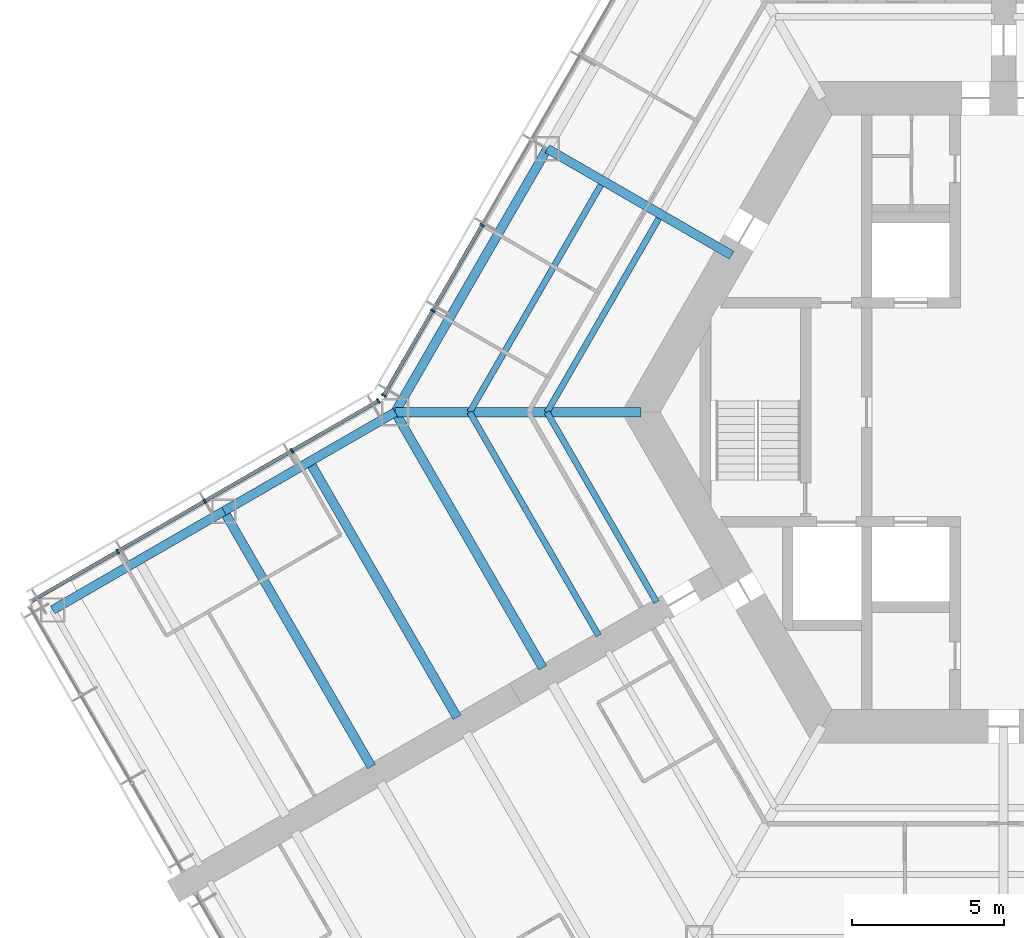
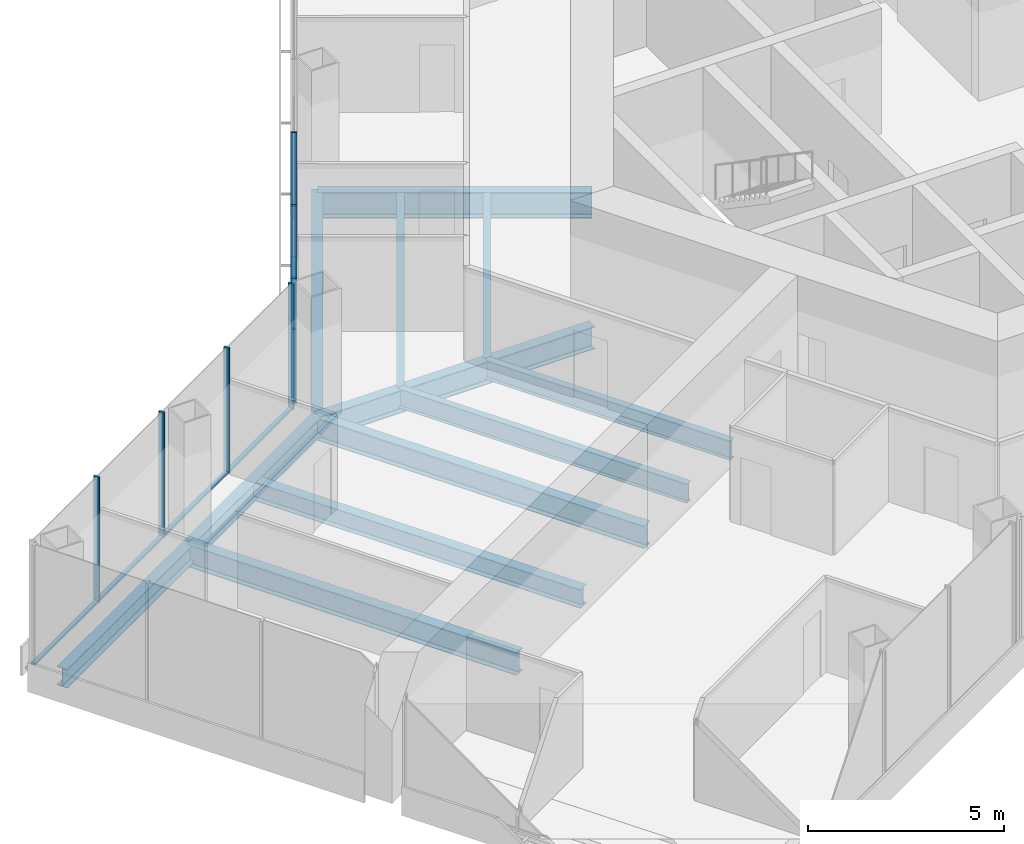
# One storey, part 4 of 18: 13 members, 12 beams, 2 elements without a shape of their own.
"""IFC4 building model written with IfcOpenShell, lengths in metres."""

import ifcopenshell
import ifcopenshell.guid

model = None  # the IFC model being written
_history = None  # IfcOwnerHistory: only IFC2X3 demands one
_inside = {}  # id of a spatial element -> (the spatial element, [elements in it])
_under = {}  # id of a project, library or spatial element -> (it, [spatial elements below it])
_declared = {}  # id of a project -> (the project, [libraries it declares])
_typed = {}  # id of a type object -> (the type object, [elements of that type])
_made_of = {}  # id of a material, layer set ... -> (it, [elements and type objects made of it])


def new_model(schema):
    """Start an empty IFC model of exactly this schema.

    Asked for "IFC4X3", IfcOpenShell would pick the latest addendum, in which some entities
    have other attributes; the version numbers below select the first issue.
    IFC2X3 requires an IfcOwnerHistory on every rooted entity: one is made here for all.
    """
    global model, _history
    if schema == "IFC4X3":
        model = ifcopenshell.file(schema_version=(4, 3, 0, 0))
    else:
        model = ifcopenshell.file(schema=schema)
    _inside.clear()
    _under.clear()
    _declared.clear()
    _typed.clear()
    _made_of.clear()
    _history = None
    if model.schema == "IFC2X3":
        org = make("IfcOrganization", Name="unknown")
        user = make(
            "IfcPersonAndOrganization",
            ThePerson=make("IfcPerson", FamilyName="unknown"),
            TheOrganization=org,
        )
        app = make(
            "IfcApplication",
            ApplicationDeveloper=org,
            Version="unknown",
            ApplicationFullName="unknown",
            ApplicationIdentifier="unknown",
        )
        _history = make(
            "IfcOwnerHistory",
            OwningUser=user,
            OwningApplication=app,
            ChangeAction="ADDED",
            CreationDate=0,
        )
    return model


def make(cls, **values):
    """One entity of the class cls with the attributes given. An attribute that is None is left unset."""
    return model.create_entity(
        cls, **{name: value for name, value in values.items() if value is not None}
    )


def rooted(cls, **values):
    """An entity with a GlobalId (a new one), such as an element, a storey or a relation."""
    return make(cls, GlobalId=ifcopenshell.guid.new(), OwnerHistory=_history, **values)


def si_unit(unit_type, name, prefix=None):
    """IfcSIUnit, for example si_unit("LENGTHUNIT", "METRE", prefix="MILLI")."""
    return make("IfcSIUnit", UnitType=unit_type, Prefix=prefix, Name=name)


def assignment(units):
    """IfcUnitAssignment: the units of a project."""
    return None if units is None else make("IfcUnitAssignment", Units=units)


def point(xyz):
    """IfcCartesianPoint."""
    return None if xyz is None else make("IfcCartesianPoint", Coordinates=xyz)


def direction(xyz):
    """IfcDirection."""
    return None if xyz is None else make("IfcDirection", DirectionRatios=xyz)


def frame(location, z_axis=None, x_axis=None):
    """IfcAxis2Placement3D, a coordinate frame: its origin and axes. An axis left out is left unset."""
    return make(
        "IfcAxis2Placement3D",
        Location=point(location),
        Axis=direction(z_axis),
        RefDirection=direction(x_axis),
    )


def frame_2d(location, x_axis=None):
    """IfcAxis2Placement2D, a coordinate frame in the plane: its origin and x axis."""
    return make(
        "IfcAxis2Placement2D", Location=point(location), RefDirection=direction(x_axis)
    )


def origin():
    """The frame at (0, 0, 0) with its axes left unset."""
    return frame((0.0, 0.0, 0.0))


def origin_2d():
    """The frame at (0, 0) in the plane with its x axis left unset."""
    return frame_2d((0.0, 0.0))


def place(relative_to, where):
    """IfcLocalPlacement: puts the frame where relative to a parent placement (None: the world)."""
    return make(
        "IfcLocalPlacement", PlacementRelTo=relative_to, RelativePlacement=where
    )


def context(
    kind, dimensions, precision=None, world=None, true_north=None, identifier=None
):
    """IfcGeometricRepresentationContext, for example the 3D "Model" context."""
    return make(
        "IfcGeometricRepresentationContext",
        ContextIdentifier=identifier,
        ContextType=kind,
        CoordinateSpaceDimension=dimensions,
        Precision=precision,
        WorldCoordinateSystem=world,
        TrueNorth=true_north,
    )


def subcontext(parent, identifier, kind, view, scale=None):
    """IfcGeometricRepresentationSubContext, for example "Body" below "Model"."""
    return make(
        "IfcGeometricRepresentationSubContext",
        ContextIdentifier=identifier,
        ContextType=kind,
        ParentContext=parent,
        TargetScale=scale,
        TargetView=view,
    )


def project(units=None, contexts=None):
    """IfcProject with its units and contexts."""
    return rooted(
        "IfcProject",
        Name="project",
        RepresentationContexts=contexts,
        UnitsInContext=assignment(units),
    )


def spatial(cls, under=None, at=None, **own):
    """A site, building, storey or space (cls), placed at a placement, below another one or the project."""
    s = rooted(cls, ObjectPlacement=at, **own)
    if under is not None:
        _under.setdefault(under.id(), (under, []))[1].append(s)
    return s


def profile(cls, at=None, kind="AREA", **sizes):
    """A parametric profile (cls). Its sizes go by their IFC names, for example OverallWidth=200.0."""
    return make(cls, ProfileType=kind, Position=at, **sizes)


def rectangle(**sizes):
    """IfcRectangleProfileDef."""
    return profile("IfcRectangleProfileDef", **sizes)


def i_section(**sizes):
    """IfcIShapeProfileDef."""
    return profile("IfcIShapeProfileDef", **sizes)


def extrude(swept, where, along, depth):
    """IfcExtrudedAreaSolid: the profile swept, set in the frame where, extruded along a direction by depth."""
    return make(
        "IfcExtrudedAreaSolid",
        SweptArea=swept,
        Position=where,
        ExtrudedDirection=direction(along),
        Depth=depth,
    )


def shape(context_of_items, identifier, shape_type, items):
    """IfcShapeRepresentation: the items that make up one representation, for example the "Body"."""
    return make(
        "IfcShapeRepresentation",
        ContextOfItems=context_of_items,
        RepresentationIdentifier=identifier,
        RepresentationType=shape_type,
        Items=items,
    )


def material(Name=None, Category=None):
    """IfcMaterial."""
    return make("IfcMaterial", Name=Name, Category=Category)


def material_profile(
    of_material, cross_section, Name=None, Category=None, Priority=None
):
    """IfcMaterialProfile: a cross section and its material."""
    return make(
        "IfcMaterialProfile",
        Name=Name,
        Material=of_material,
        Profile=cross_section,
        Priority=Priority,
        Category=Category,
    )


def profile_set(profiles, Name=None, composite=None):
    """IfcMaterialProfileSet."""
    return make(
        "IfcMaterialProfileSet",
        Name=Name,
        MaterialProfiles=profiles,
        CompositeProfile=composite,
    )


def made_of(thing, what):
    """Note that an element or type object is made of a material, layer set ...; save() writes the relation."""
    if what is not None:
        _made_of.setdefault(what.id(), (what, []))[1].append(thing)
    return thing


def type_object(cls, material=None, **own):
    """A type object (cls), such as IfcWallType, which elements share."""
    return made_of(rooted(cls, **own), material)


def element(
    cls,
    number,
    at=None,
    inside=None,
    cuts=None,
    type_object=None,
    material=None,
    context=None,
    identifier="Body",
    shape_type=None,
    held_by="IfcProductDefinitionShape",
    body=None,
    shapes=None,
    **own,
):
    """One element of the class cls, such as IfcWall. Its Tag is "e" and its number.

    at: its placement. inside: the storey or other place that contains it. cuts: it is an
    opening in that element (IfcRelVoidsElement). A single representation is given by context,
    identifier, shape_type and body (its items); several are given by shapes. held_by: the class
    of the entity that holds the representations. save() writes the other relations.
    """
    e = rooted(cls, Tag="e%d" % number, ObjectPlacement=at, **own)
    if body is not None:
        shapes = [shape(context, identifier, shape_type, body)]
    if shapes is not None:
        e.Representation = make(held_by, Representations=shapes)
    if inside is not None:
        _inside.setdefault(inside.id(), (inside, []))[1].append(e)
    if cuts is not None:
        rooted(
            "IfcRelVoidsElement", RelatingBuildingElement=cuts, RelatedOpeningElement=e
        )
    if type_object is not None:
        _typed.setdefault(type_object.id(), (type_object, []))[1].append(e)
    return made_of(e, material)


def aggregate(whole, parts):
    """IfcRelAggregates: a whole, such as a stair, and the parts it consists of."""
    return rooted("IfcRelAggregates", RelatingObject=whole, RelatedObjects=parts)


def save(model, path):
    """Write the relations noted so far, then the file.

    IfcRelAggregates (storeys below a building ...), IfcRelContainedInSpatialStructure (elements
    in a storey), IfcRelDefinesByType, IfcRelAssociatesMaterial and IfcRelDeclares: one each for
    every whole, place, type object, material and project.
    """
    for whole, parts in _under.values():
        aggregate(whole, parts)
    for where, things in _inside.values():
        rooted(
            "IfcRelContainedInSpatialStructure",
            RelatedElements=things,
            RelatingStructure=where,
        )
    for kind, things in _typed.values():
        rooted("IfcRelDefinesByType", RelatedObjects=things, RelatingType=kind)
    for what, things in _made_of.values():
        rooted("IfcRelAssociatesMaterial", RelatedObjects=things, RelatingMaterial=what)
    for by, libraries in _declared.values():
        rooted("IfcRelDeclares", RelatingContext=by, RelatedDefinitions=libraries)
    model.write(path)


model = new_model("IFC4")

# Units and contexts
model_context = context("Model", 3, precision=1e-05, world=origin(), true_north=direction((0.0, 1.0)))
body_context = subcontext(model_context, "Body", "Model", "MODEL_VIEW")
ifc_project = project(units=[si_unit("LENGTHUNIT", "METRE"), si_unit("AREAUNIT", "SQUARE_METRE"), si_unit("VOLUMEUNIT", "CUBIC_METRE"), si_unit("PLANEANGLEUNIT", "RADIAN"), si_unit("MASSUNIT", "GRAM", prefix="KILO")], contexts=[model_context])

# Site, building, storey
site_placement = place(None, origin())
site = spatial("IfcSite", under=ifc_project, at=site_placement, CompositionType="ELEMENT")
building_placement = place(site_placement, origin())
building = spatial("IfcBuilding", under=site, at=building_placement, Name="Kasaneha Research Tower", CompositionType="ELEMENT")
storey_placement = place(building_placement, frame((0.0, 0.0, 115.800048828125)))
storey = spatial("IfcBuildingStorey", under=building, at=storey_placement, Name="L29", CompositionType="ELEMENT", Elevation=115.800048828125)

# Beams
ifc_material_1 = material(Name="Steel SN490B", Category="steel")
ifc_material_profile_1 = material_profile(ifc_material_1, i_section(OverallWidth=0.199951171875, OverallDepth=0.60009765625, WebThickness=0.010986328125, FlangeThickness=0.01708984375, FilletRadius=0.012939453125, at=origin_2d()), Name="H-600x200x11x17")
ifc_profile_set_1 = profile_set([ifc_material_profile_1], Name="Steel SN490B")
beam_type_1 = type_object("IfcBeamType", Name="B1-3 secondary beam H-600x200x11x17", PredefinedType="JOIST", material=ifc_profile_set_1)
beam_1_placement = place(storey_placement, frame((-15.010986328125, 0.0, -0.449951171875), z_axis=(0.499994443168, 0.866028611999, 0.0), x_axis=(-0.866028611999, 0.499994443168, 0.0)))
element("IfcBeam", 1, at=beam_1_placement, inside=storey, type_object=beam_type_1, Name="Secondary beam RS150R1 L29", PredefinedType="JOIST", context=body_context, shape_type="SweptSolid", body=[
    extrude(i_section(OverallWidth=0.199951171875, OverallDepth=0.60009765625, WebThickness=0.010986328125, FlangeThickness=0.01708984375, FilletRadius=0.012939453125, at=origin_2d()), origin(), (0.0, 0.0, 1.0), 7.35546875),
])
beam_2_placement = place(storey_placement, frame((-17.551513671875, 0.0, -0.449951171875), z_axis=(0.5000050195, 0.866022505755, 0.0), x_axis=(-0.866022505755, 0.5000050195, 0.0)))
element("IfcBeam", 2, at=beam_2_placement, inside=storey, type_object=beam_type_1, Name="Secondary beam RS150R2 L29", PredefinedType="JOIST", context=body_context, shape_type="SweptSolid", body=[
    extrude(i_section(OverallWidth=0.199951171875, OverallDepth=0.60009765625, WebThickness=0.010986328125, FlangeThickness=0.01708984375, FilletRadius=0.012939453125, at=origin_2d()), origin(), (0.0, 0.0, 1.0), 8.6259765625),
])
beam_3_placement = place(storey_placement, frame((-15.010986328125, 0.0, -0.449951171875), z_axis=(0.499972735707, -0.866041144259, 0.0), x_axis=(0.866041144259, 0.499972735707, 0.0)))
element("IfcBeam", 3, at=beam_3_placement, inside=storey, type_object=beam_type_1, Name="Secondary beam RS210L1 L29", PredefinedType="JOIST", context=body_context, shape_type="SweptSolid", body=[
    extrude(i_section(OverallWidth=0.199951171875, OverallDepth=0.60009765625, WebThickness=0.010986328125, FlangeThickness=0.01708984375, FilletRadius=0.012939453125, at=origin_2d()), origin(), (0.0, 0.0, 1.0), 7.20556640625),
])
beam_4_placement = place(storey_placement, frame((-17.551513671875, 0.0, -0.449951171875), z_axis=(0.500020829043, -0.866013377797, 0.0), x_axis=(0.866013377797, 0.500020829043, 0.0)))
element("IfcBeam", 4, at=beam_4_placement, inside=storey, type_object=beam_type_1, Name="Secondary beam RS210L2 L29", PredefinedType="JOIST", context=body_context, shape_type="SweptSolid", body=[
    extrude(i_section(OverallWidth=0.199951171875, OverallDepth=0.60009765625, WebThickness=0.010986328125, FlangeThickness=0.01708984375, FilletRadius=0.012939453125, at=origin_2d()), origin(), (0.0, 0.0, 1.0), 8.475830078125),
])
ifc_material_2 = material(Name="Steel SN490B", Category="steel")
ifc_material_profile_2 = material_profile(ifc_material_2, i_section(OverallWidth=0.300048828125, OverallDepth=0.58203125, WebThickness=0.011962890625, FlangeThickness=0.01708984375, FilletRadius=0.012939453125, at=origin_2d()), Name="H-582x300x12x17")
ifc_profile_set_2 = profile_set([ifc_material_profile_2], Name="Steel SN490B")
beam_type_2 = type_object("IfcBeamType", Name="B2-3 secondary beam H-582x300x12x17", PredefinedType="JOIST", material=ifc_profile_set_2)
beam_5_placement = place(storey_placement, frame((-22.814697265625, -1.625, -0.441162109375), z_axis=(0.500010041276, -0.866019606374, 0.0), x_axis=(0.866019606374, 0.500010041276, 0.0)))
element("IfcBeam", 5, at=beam_5_placement, inside=storey, type_object=beam_type_2, Name="Secondary beam WBBP1 L29", PredefinedType="JOIST", context=body_context, shape_type="SweptSolid", body=[
    extrude(i_section(OverallWidth=0.300048828125, OverallDepth=0.58203125, WebThickness=0.011962890625, FlangeThickness=0.01708984375, FilletRadius=0.012939453125, at=origin_2d()), origin(), (0.0, 0.0, 1.0), 9.699951171875),
])

# Curtain wall, members
ifc_material_3 = material(Name="Glass and aluminium", Category="aluminium")
curtain_wall_type = type_object("IfcCurtainWallType", Name="Low-rise office curtain wall", PredefinedType="USERDEFINED", material=ifc_material_3)
curtain_wall_1_placement = place(storey_placement, origin())
curtain_wall_1 = element("IfcCurtainWall", 6, at=curtain_wall_1_placement, inside=storey, type_object=curtain_wall_type, Name="CW-O1 L29 run 12a", ObjectType="UNITISED CURTAIN WALL", PredefinedType="USERDEFINED")
ifc_material_4 = material(Name="Aluminium 6063-T6", Category="aluminium")
ifc_material_profile_3 = material_profile(ifc_material_4, rectangle(XDim=0.06005859375, YDim=0.159912109375, at=origin_2d()), Name="CW-O1 mullion 60x160")
ifc_profile_set_3 = profile_set([ifc_material_profile_3], Name="Aluminium 6063-T6")
member_type_1 = type_object("IfcMemberType", Name="CW-O1 mullion", PredefinedType="MULLION", material=ifc_profile_set_3)
member_1_placement = place(storey_placement, frame((-17.142822265625, 6.148681640625, 0.0), z_axis=(0.0, 0.0, 1.0), x_axis=(-0.49999996188, -0.866025425793, 0.0)))
member_1 = element("IfcMember", 7, at=member_1_placement, type_object=member_type_1, Name="CW-O1 mullion 5", PredefinedType="MULLION", context=body_context, shape_type="SweptSolid", body=[
    extrude(rectangle(XDim=0.06005859375, YDim=0.159912109375, at=origin_2d()), origin(), (0.0, 0.0, 1.0), 3.89990234375),
])
member_2_placement = place(storey_placement, frame((-18.76611328125, 3.33740234375, 0.0), z_axis=(0.0, 0.0, 1.0), x_axis=(-0.49999996188, -0.866025425793, 0.0)))
member_2 = element("IfcMember", 8, at=member_2_placement, type_object=member_type_1, Name="CW-O1 mullion 6", PredefinedType="MULLION", context=body_context, shape_type="SweptSolid", body=[
    extrude(rectangle(XDim=0.06005859375, YDim=0.159912109375, at=origin_2d()), origin(), (0.0, 0.0, 1.0), 3.89990234375),
])
member_3_placement = place(storey_placement, frame((-20.374267578125, 0.5517578125, 0.0), z_axis=(0.0, 0.0, 1.0), x_axis=(-0.49999996188, -0.866025425793, 0.0)))
member_3 = element("IfcMember", 9, at=member_3_placement, type_object=member_type_1, Name="CW-O1 mullion 7", PredefinedType="MULLION", context=body_context, shape_type="SweptSolid", body=[
    extrude(rectangle(XDim=0.06005859375, YDim=0.159912109375, at=origin_2d()), origin(), (0.0, 0.0, 1.0), 3.89990234375),
])

curtain_wall_2_placement = place(storey_placement, origin())
curtain_wall_2 = element("IfcCurtainWall", 10, at=curtain_wall_2_placement, inside=storey, type_object=curtain_wall_type, Name="CW-O1 L29 run 13a", ObjectType="UNITISED CURTAIN WALL", PredefinedType="USERDEFINED")
member_4_placement = place(storey_placement, frame((-20.5517578125, 0.374267578125, 0.0), z_axis=(0.0, 0.0, 1.0), x_axis=(-0.866025411464, -0.499999986699, 0.0)))
member_4 = element("IfcMember", 11, at=member_4_placement, type_object=member_type_1, Name="CW-O1 mullion 1", PredefinedType="MULLION", context=body_context, shape_type="SweptSolid", body=[
    extrude(rectangle(XDim=0.06005859375, YDim=0.159912109375, at=origin_2d()), origin(), (0.0, 0.0, 1.0), 3.89990234375),
])
member_5_placement = place(storey_placement, frame((-23.39208984375, -1.265625, 0.0), z_axis=(0.0, 0.0, 1.0), x_axis=(-0.866025411464, -0.499999986699, 0.0)))
member_5 = element("IfcMember", 12, at=member_5_placement, type_object=member_type_1, Name="CW-O1 mullion 2", PredefinedType="MULLION", context=body_context, shape_type="SweptSolid", body=[
    extrude(rectangle(XDim=0.06005859375, YDim=0.159912109375, at=origin_2d()), origin(), (0.0, 0.0, 1.0), 3.89990234375),
])
member_6_placement = place(storey_placement, frame((-26.258544921875, -2.920654296875, 0.0), z_axis=(0.0, 0.0, 1.0), x_axis=(-0.866025411464, -0.499999986699, 0.0)))
member_6 = element("IfcMember", 13, at=member_6_placement, type_object=member_type_1, Name="CW-O1 mullion 3", PredefinedType="MULLION", context=body_context, shape_type="SweptSolid", body=[
    extrude(rectangle(XDim=0.06005859375, YDim=0.159912109375, at=origin_2d()), origin(), (0.0, 0.0, 1.0), 3.89990234375),
])
member_7_placement = place(storey_placement, frame((-29.125, -4.575439453125, 0.0), z_axis=(0.0, 0.0, 1.0), x_axis=(-0.866025411464, -0.499999986699, 0.0)))
member_7 = element("IfcMember", 14, at=member_7_placement, type_object=member_type_1, Name="CW-O1 mullion 4", PredefinedType="MULLION", context=body_context, shape_type="SweptSolid", body=[
    extrude(rectangle(XDim=0.06005859375, YDim=0.159912109375, at=origin_2d()), origin(), (0.0, 0.0, 1.0), 3.89990234375),
])

# Member
ifc_material_5 = material(Name="Aluminium 6063-T6", Category="aluminium")
ifc_material_profile_4 = material_profile(ifc_material_5, rectangle(XDim=0.1201171875, YDim=0.06005859375, at=origin_2d()), Name="CW-O1 transom 120x60")
ifc_profile_set_4 = profile_set([ifc_material_profile_4], Name="Aluminium 6063-T6")
member_type_2 = type_object("IfcMemberType", Name="CW-O1 transom", PredefinedType="USERDEFINED", material=ifc_profile_set_4)
member_8_placement = place(storey_placement, frame((-17.15771484375, 6.122802734375, 0.030029296875), z_axis=(-0.500012062035, -0.866018439653, 0.0), x_axis=(0.866018439653, -0.500012062035, 0.0)))
member_8 = element("IfcMember", 15, at=member_8_placement, type_object=member_type_2, Name="CW-O1 transom 5", ObjectType="TRANSOM", PredefinedType="USERDEFINED", context=body_context, shape_type="SweptSolid", body=[
    extrude(rectangle(XDim=0.1201171875, YDim=0.06005859375, at=origin_2d()), origin(), (0.0, 0.0, 1.0), 3.1865234375),
])

member_9_placement = place(storey_placement, frame((-18.781005859375, 3.311279296875, 0.030029296875), z_axis=(-0.499999210213, -0.866025859768, 0.0), x_axis=(0.866025859768, -0.499999210213, 0.0)))
member_9 = element("IfcMember", 16, at=member_9_placement, type_object=member_type_2, Name="CW-O1 transom 6", ObjectType="TRANSOM", PredefinedType="USERDEFINED", context=body_context, shape_type="SweptSolid", body=[
    extrude(rectangle(XDim=0.1201171875, YDim=0.06005859375, at=origin_2d()), origin(), (0.0, 0.0, 1.0), 3.15625),
])

aggregate(curtain_wall_1, [member_1, member_2, member_3, member_8, member_9])

member_10_placement = place(storey_placement, frame((-20.577880859375, 0.359130859375, 0.030029296875), z_axis=(-0.866022692473, -0.500004696101, 0.0), x_axis=(0.500004696101, -0.866022692473, 0.0)))
member_10 = element("IfcMember", 17, at=member_10_placement, type_object=member_type_2, Name="CW-O1 transom 1", ObjectType="TRANSOM", PredefinedType="USERDEFINED", context=body_context, shape_type="SweptSolid", body=[
    extrude(rectangle(XDim=0.1201171875, YDim=0.06005859375, at=origin_2d()), origin(), (0.0, 0.0, 1.0), 3.2197265625),
])

member_11_placement = place(storey_placement, frame((-23.418212890625, -1.28076171875, 0.030029296875), z_axis=(-0.86604797581, -0.499960902066, 0.0), x_axis=(0.499960902066, -0.86604797581, 0.0)))
member_11 = element("IfcMember", 18, at=member_11_placement, type_object=member_type_2, Name="CW-O1 transom 2", ObjectType="TRANSOM", PredefinedType="USERDEFINED", context=body_context, shape_type="SweptSolid", body=[
    extrude(rectangle(XDim=0.1201171875, YDim=0.06005859375, at=origin_2d()), origin(), (0.0, 0.0, 1.0), 3.249755859375),
])

member_12_placement = place(storey_placement, frame((-26.28466796875, -2.935546875, 0.030029296875), z_axis=(-0.86599666273, -0.500049777664, 0.0), x_axis=(0.500049777664, -0.86599666273, 0.0)))
member_12 = element("IfcMember", 19, at=member_12_placement, type_object=member_type_2, Name="CW-O1 transom 3", ObjectType="TRANSOM", PredefinedType="USERDEFINED", context=body_context, shape_type="SweptSolid", body=[
    extrude(rectangle(XDim=0.1201171875, YDim=0.06005859375, at=origin_2d()), origin(), (0.0, 0.0, 1.0), 3.249755859375),
])

member_13_placement = place(storey_placement, frame((-29.15087890625, -4.590576171875, 0.030029296875), z_axis=(-0.866041647767, -0.499971863542, 0.0), x_axis=(0.499971863542, -0.866041647767, 0.0)))
member_13 = element("IfcMember", 20, at=member_13_placement, type_object=member_type_2, Name="CW-O1 transom 4", ObjectType="TRANSOM", PredefinedType="USERDEFINED", context=body_context, shape_type="SweptSolid", body=[
    extrude(rectangle(XDim=0.1201171875, YDim=0.06005859375, at=origin_2d()), origin(), (0.0, 0.0, 1.0), 3.219970703125),
])

aggregate(curtain_wall_2, [member_4, member_5, member_6, member_7, member_10, member_11, member_12, member_13])

# Beams
ifc_material_6 = material(Name="Steel SN490B", Category="steel")
ifc_material_profile_5 = material_profile(ifc_material_6, i_section(OverallWidth=0.300048828125, OverallDepth=0.699951171875, WebThickness=0.012939453125, FlangeThickness=0.02392578125, FilletRadius=0.01806640625, at=origin_2d()), Name="H-700x300x13x24")
ifc_profile_set_5 = profile_set([ifc_material_profile_5], Name="Steel SN490B")
beam_type_3 = type_object("IfcBeamType", Name="G1-3 radial girder H-700x300x13x24", PredefinedType="BEAM", material=ifc_profile_set_5)
beam_6_placement = place(storey_placement, frame((-11.92236328125, 0.0, -0.5), z_axis=(-1.0, 0.0, 0.0), x_axis=(0.0, -1.0, 0.0)))
element("IfcBeam", 21, at=beam_6_placement, inside=storey, type_object=beam_type_3, Name="Radial girder RV180 L29", PredefinedType="BEAM", context=body_context, shape_type="SweptSolid", body=[
    extrude(i_section(OverallWidth=0.300048828125, OverallDepth=0.699951171875, WebThickness=0.012939453125, FlangeThickness=0.02392578125, FilletRadius=0.01806640625, at=origin_2d()), origin(), (0.0, 0.0, 1.0), 8.07763671875),
])
ifc_material_7 = material(Name="Steel SN490B", Category="steel")
ifc_material_profile_6 = material_profile(ifc_material_7, i_section(OverallWidth=0.300048828125, OverallDepth=0.800048828125, WebThickness=0.013916015625, FlangeThickness=0.02587890625, FilletRadius=0.01806640625, at=origin_2d()), Name="H-800x300x14x26")
ifc_profile_set_6 = profile_set([ifc_material_profile_6], Name="Steel SN490B")
beam_type_4 = type_object("IfcBeamType", Name="G2-3 radial girder H-800x300x14x26", PredefinedType="BEAM", material=ifc_profile_set_6)
beam_7_placement = place(storey_placement, frame((-8.941650390625, 5.16259765625, -0.550048828125), z_axis=(-0.866039713508, 0.499975214012, 0.0), x_axis=(-0.499975214012, -0.866039713508, 0.0)))
element("IfcBeam", 22, at=beam_7_placement, inside=storey, type_object=beam_type_4, Name="Radial girder RM150 L29", PredefinedType="BEAM", context=body_context, shape_type="SweptSolid", body=[
    extrude(i_section(OverallWidth=0.300048828125, OverallDepth=0.800048828125, WebThickness=0.013916015625, FlangeThickness=0.02587890625, FilletRadius=0.01806640625, at=origin_2d()), origin(), (0.0, 0.0, 1.0), 6.995361328125),
])
ifc_material_8 = material(Name="Steel SN490B", Category="steel")
ifc_material_profile_7 = material_profile(ifc_material_8, i_section(OverallWidth=0.300048828125, OverallDepth=0.69189453125, WebThickness=0.012939453125, FlangeThickness=0.02001953125, FilletRadius=0.01806640625, at=origin_2d()), Name="H-692x300x13x20")
ifc_profile_set_7 = profile_set([ifc_material_profile_7], Name="Steel SN490B")
beam_type_5 = type_object("IfcBeamType", Name="G3-3 plate edge girder H-692x300x13x20", PredefinedType="BEAM", material=ifc_profile_set_7)
beam_8_placement = place(storey_placement, frame((-20.0, 0.0, -0.49609375), z_axis=(0.500010041276, -0.866019606374, 0.0), x_axis=(0.866019606374, 0.500010041276, 0.0)))
element("IfcBeam", 23, at=beam_8_placement, inside=storey, type_object=beam_type_5, Name="Plate edge girder PEBP L29", PredefinedType="BEAM", context=body_context, shape_type="SweptSolid", body=[
    extrude(i_section(OverallWidth=0.300048828125, OverallDepth=0.69189453125, WebThickness=0.012939453125, FlangeThickness=0.02001953125, FilletRadius=0.01806640625, at=origin_2d()), origin(), (0.0, 0.0, 1.0), 9.699951171875),
])
ifc_material_9 = material(Name="Steel SN490B", Category="steel")
ifc_material_profile_8 = material_profile(ifc_material_9, i_section(OverallWidth=0.300048828125, OverallDepth=0.699951171875, WebThickness=0.012939453125, FlangeThickness=0.02392578125, FilletRadius=0.01806640625, at=origin_2d()), Name="H-700x300x13x24")
ifc_profile_set_8 = profile_set([ifc_material_profile_8], Name="Steel SN490B")
beam_type_6 = type_object("IfcBeamType", Name="G4-3 wing girder H-700x300x13x24", PredefinedType="BEAM", material=ifc_profile_set_8)
beam_9_placement = place(storey_placement, frame((-25.629150390625, -3.25, -0.5), z_axis=(0.500010041276, -0.866019606374, 0.0), x_axis=(0.866019606374, 0.500010041276, 0.0)))
element("IfcBeam", 24, at=beam_9_placement, inside=storey, type_object=beam_type_6, Name="Wing girder WGBP L29", PredefinedType="BEAM", context=body_context, shape_type="SweptSolid", body=[
    extrude(i_section(OverallWidth=0.300048828125, OverallDepth=0.699951171875, WebThickness=0.012939453125, FlangeThickness=0.02392578125, FilletRadius=0.01806640625, at=origin_2d()), origin(), (0.0, 0.0, 1.0), 9.699951171875),
])
ifc_material_10 = material(Name="Steel SN490B", Category="steel")
ifc_material_profile_9 = material_profile(ifc_material_10, i_section(OverallWidth=0.300048828125, OverallDepth=0.69189453125, WebThickness=0.012939453125, FlangeThickness=0.02001953125, FilletRadius=0.01806640625, at=origin_2d()), Name="H-692x300x13x20")
ifc_profile_set_9 = profile_set([ifc_material_profile_9], Name="Steel SN490B")
beam_type_7 = type_object("IfcBeamType", Name="SB1-3 spandrel beam H-692x300x13x20", PredefinedType="SPANDREL", material=ifc_profile_set_9)
beam_10_placement = place(storey_placement, frame((-20.0, 0.0, -0.49609375), z_axis=(0.500004234368, 0.866022959057, 0.0), x_axis=(-0.866022959057, 0.500004234368, 0.0)))
element("IfcBeam", 25, at=beam_10_placement, inside=storey, type_object=beam_type_7, Name="Spandrel beam SR150R L29", PredefinedType="SPANDREL", context=body_context, shape_type="SweptSolid", body=[
    extrude(i_section(OverallWidth=0.300048828125, OverallDepth=0.69189453125, WebThickness=0.012939453125, FlangeThickness=0.02001953125, FilletRadius=0.01806640625, at=origin_2d()), origin(), (0.0, 0.0, 1.0), 10.0),
])
ifc_material_11 = material(Name="Steel SN490B", Category="steel")
ifc_material_profile_10 = material_profile(ifc_material_11, i_section(OverallWidth=0.300048828125, OverallDepth=0.58203125, WebThickness=0.011962890625, FlangeThickness=0.01708984375, FilletRadius=0.012939453125, at=origin_2d()), Name="H-582x300x12x17")
ifc_profile_set_10 = profile_set([ifc_material_profile_10], Name="Steel SN490B")
beam_type_8 = type_object("IfcBeamType", Name="SB2-3 spandrel beam H-582x300x12x17", PredefinedType="SPANDREL", material=ifc_profile_set_10)
for number, where, z_axis, x_axis, name in (
    (26, (-20.0, 0.0, -0.441162109375), (-0.866024837091, -0.50000098154, 0.0), (0.50000098154, -0.866024837091, 0.0), "Spandrel beam WSBP1 L29"),
    (27, (-25.629150390625, -3.25, -0.441162109375), (-0.866024837091, -0.50000098154, 0.0), (0.50000098154, -0.866024837091, 0.0), "Spandrel beam WSBP2 L29"),
):
    element("IfcBeam", number, at=place(storey_placement, frame(where, z_axis=z_axis, x_axis=x_axis)), inside=storey, type_object=beam_type_8, Name=name, PredefinedType="SPANDREL", context=body_context, shape_type="SweptSolid", body=[
        extrude(i_section(OverallWidth=0.300048828125, OverallDepth=0.58203125, WebThickness=0.011962890625, FlangeThickness=0.01708984375, FilletRadius=0.012939453125, at=origin_2d()), origin(), (0.0, 0.0, 1.0), 6.5),
    ])

save(model, "model.ifc")
